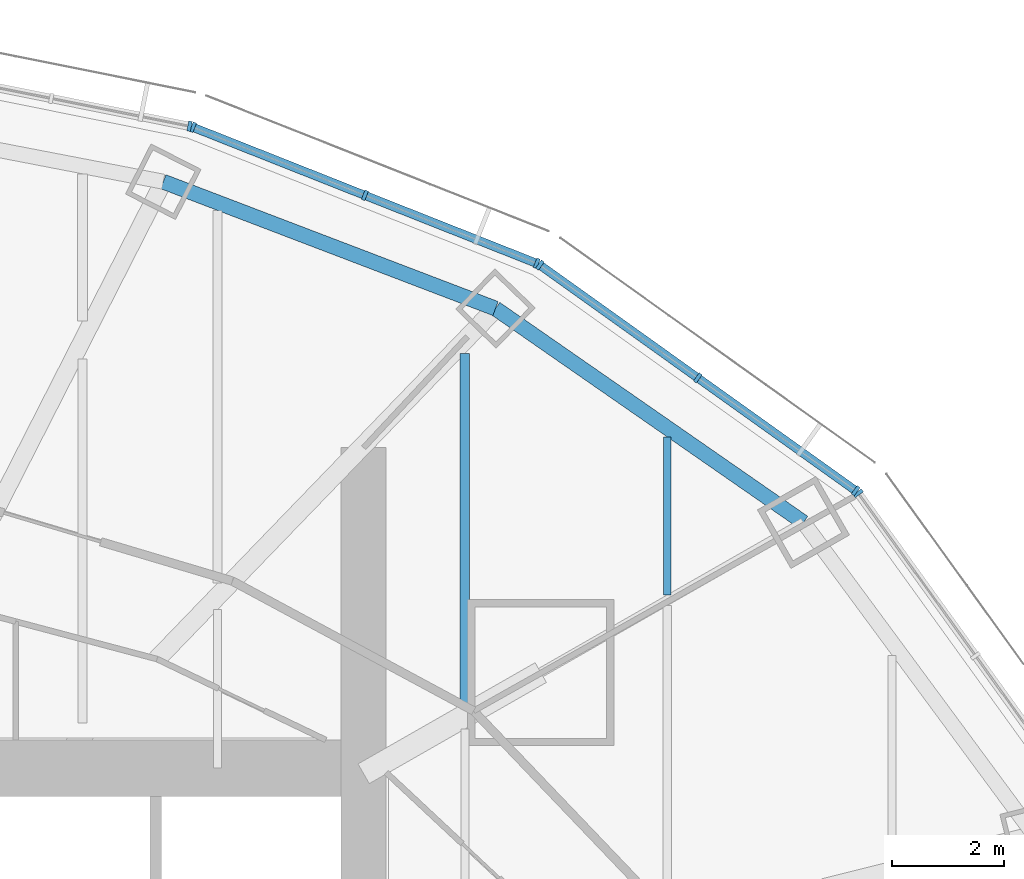
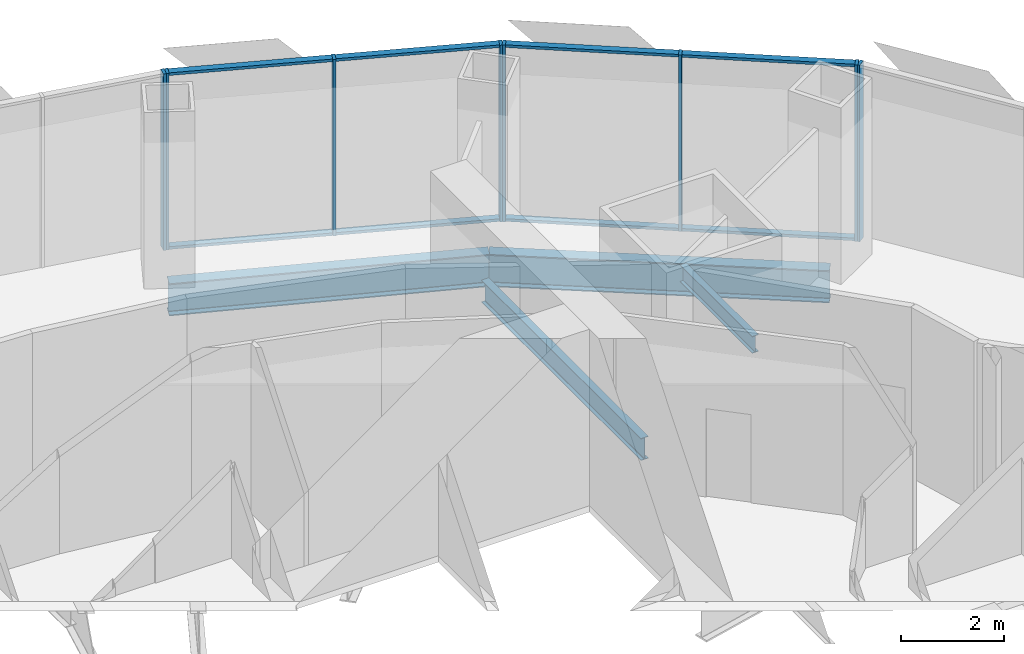
# One storey, part 9 of 17: 16 members, 4 beams, 4 elements without a shape of their own.
"""IFC4 building model written with IfcOpenShell, lengths in metres."""

from ifc_helpers import new_model, si_unit, direction, frame, origin, origin_2d, place, context, subcontext, project, spatial, rectangle, i_section, extrude, material, material_profile, profile_set, type_object, element, aggregate, save


model = new_model("IFC4")

# Units and contexts
model_context = context("Model", 3, precision=1e-05, world=origin(), true_north=direction((0.0, 1.0)))
body_context = subcontext(model_context, "Body", "Model", "MODEL_VIEW")
ifc_project = project(units=[si_unit("LENGTHUNIT", "METRE"), si_unit("AREAUNIT", "SQUARE_METRE"), si_unit("VOLUMEUNIT", "CUBIC_METRE"), si_unit("PLANEANGLEUNIT", "RADIAN"), si_unit("MASSUNIT", "GRAM", prefix="KILO")], contexts=[model_context])

# Site, building, storey
site_placement = place(None, origin())
site = spatial("IfcSite", under=ifc_project, at=site_placement, CompositionType="ELEMENT")
building_placement = place(site_placement, origin())
building = spatial("IfcBuilding", under=site, at=building_placement, Name="Lantaw Convention Tower", CompositionType="ELEMENT")
storey_placement = place(building_placement, frame((0.0, 0.0, 211.60009765625)))
storey = spatial("IfcBuildingStorey", under=building, at=storey_placement, Name="L49", CompositionType="ELEMENT", Elevation=211.60009765625)

# Beams
ifc_material_1 = material(Name="Steel ASTM A992", Category="steel")
ifc_material_profile_1 = material_profile(ifc_material_1, i_section(OverallWidth=0.2666015625, OverallDepth=0.76953125, WebThickness=0.015625, FlangeThickness=0.025390625, FilletRadius=0.0126953125, at=origin_2d()), Name="W30X132")
ifc_profile_set_1 = profile_set([ifc_material_profile_1], Name="Steel ASTM A992")
beam_type_1 = type_object("IfcBeamType", Name="Beam E W30X132", PredefinedType="SPANDREL", material=ifc_profile_set_1)
beam_1_placement = place(storey_placement, frame((20.423095703125, 11.67041015625, -0.534912109375), z_axis=(-0.82135329406, 0.570419815869, 0.0), x_axis=(-0.570419815869, -0.82135329406, 0.0)))
element("IfcBeam", 1, at=beam_1_placement, inside=storey, type_object=beam_type_1, Name="Edge beam 3", PredefinedType="SPANDREL", context=body_context, shape_type="SweptSolid", body=[
    extrude(i_section(OverallWidth=0.2666015625, OverallDepth=0.76953125, WebThickness=0.015625, FlangeThickness=0.025390625, FilletRadius=0.0126953125, at=origin_2d()), origin(), (0.0, 0.0, 1.0), 6.67041015625),
])
beam_2_placement = place(storey_placement, frame((14.9443359375, 15.475341796875, -0.534912109375), z_axis=(-0.934234988, 0.356658081637, 0.0), x_axis=(-0.356658081637, -0.934234988, 0.0)))
element("IfcBeam", 2, at=beam_2_placement, inside=storey, type_object=beam_type_1, Name="Edge beam 4", PredefinedType="SPANDREL", context=body_context, shape_type="SweptSolid", body=[
    extrude(i_section(OverallWidth=0.2666015625, OverallDepth=0.76953125, WebThickness=0.015625, FlangeThickness=0.025390625, FilletRadius=0.0126953125, at=origin_2d()), origin(), (0.0, 0.0, 1.0), 6.32568359375),
])
ifc_material_profile_2 = material_profile(ifc_material_1, i_section(OverallWidth=0.140380859375, OverallDepth=0.40380859375, WebThickness=0.007080078125, FlangeThickness=0.01123046875, FilletRadius=0.01025390625, at=origin_2d()), Name="W16X31")
ifc_profile_set_2 = profile_set([ifc_material_profile_2], Name="Steel ASTM A992")
beam_type_2 = type_object("IfcBeamType", Name="Beam J W16X31", PredefinedType="JOIST", material=ifc_profile_set_2)
beam_3_placement = place(storey_placement, frame((18.0, 10.380859375, -0.35205078125), z_axis=(0.0, 1.0, 0.0), x_axis=(-1.0, 0.0, 0.0)))
element("IfcBeam", 3, at=beam_3_placement, inside=storey, type_object=beam_type_2, Name="Floor joist", PredefinedType="JOIST", context=body_context, shape_type="SweptSolid", body=[
    extrude(i_section(OverallWidth=0.140380859375, OverallDepth=0.40380859375, WebThickness=0.007080078125, FlangeThickness=0.01123046875, FilletRadius=0.01025390625, at=origin_2d()), origin(), (0.0, 0.0, 1.0), 2.81005859375),
])
ifc_material_profile_3 = material_profile(ifc_material_1, i_section(OverallWidth=0.1650390625, OverallDepth=0.52587890625, WebThickness=0.0087890625, FlangeThickness=0.011474609375, FilletRadius=0.0126953125, at=origin_2d()), Name="W21X44")
ifc_profile_set_3 = profile_set([ifc_material_profile_3], Name="Steel ASTM A992")
beam_type_3 = type_object("IfcBeamType", Name="Beam J W21X44", PredefinedType="JOIST", material=ifc_profile_set_3)
beam_4_placement = place(storey_placement, frame((14.39990234375, 8.461181640625, -0.4130859375), z_axis=(0.0, 1.0, 0.0), x_axis=(-1.0, 0.0, 0.0)))
element("IfcBeam", 4, at=beam_4_placement, inside=storey, type_object=beam_type_3, Name="Floor joist", PredefinedType="JOIST", context=body_context, shape_type="SweptSolid", body=[
    extrude(i_section(OverallWidth=0.1650390625, OverallDepth=0.52587890625, WebThickness=0.0087890625, FlangeThickness=0.011474609375, FilletRadius=0.0126953125, at=origin_2d()), origin(), (0.0, 0.0, 1.0), 6.214599609375),
])

# Curtain wall, member
ifc_material_2 = material(Name="Aluminium framed curtain wall", Category="aluminium")
curtain_wall_type = type_object("IfcCurtainWallType", Name="Office curtain wall high rise, pale aluminium", PredefinedType="USERDEFINED", material=ifc_material_2)
curtain_wall_1_placement = place(storey_placement, origin())
curtain_wall_1 = element("IfcCurtainWall", 5, at=curtain_wall_1_placement, inside=storey, type_object=curtain_wall_type, Name="Office curtain wall high rise, pale aluminium L49", ObjectType="UNITISED CURTAIN WALL", PredefinedType="USERDEFINED")
ifc_material_3 = material(Name="Aluminium 6063-T6", Category="aluminium")
ifc_material_profile_4 = material_profile(ifc_material_3, rectangle(XDim=0.179931640625, YDim=0.06494140625, at=origin_2d()), Name="CW-O2 mullion 65x180")
ifc_profile_set_4 = profile_set([ifc_material_profile_4], Name="Aluminium 6063-T6")
member_type_1 = type_object("IfcMemberType", Name="CW-O2 mullion 65x180", PredefinedType="MULLION", material=ifc_profile_set_4)
member_1_placement = place(storey_placement, frame((21.397216796875, 12.189697265625, -0.150146484375), z_axis=(0.0, 0.0, 1.0), x_axis=(-0.810919559405, -0.585157643865, 0.0)))
member_1 = element("IfcMember", 6, at=member_1_placement, type_object=member_type_1, Name="CW-O2 mullion 3", PredefinedType="MULLION", context=body_context, shape_type="SweptSolid", body=[
    extrude(rectangle(XDim=0.179931640625, YDim=0.06494140625, at=origin_2d()), origin(), (0.0, 0.0, 1.0), 4.199951171875),
])
aggregate(curtain_wall_1, [member_1])

# Curtain wall, members
curtain_wall_2_placement = place(storey_placement, origin())
curtain_wall_2 = element("IfcCurtainWall", 7, at=curtain_wall_2_placement, inside=storey, type_object=curtain_wall_type, Name="Office curtain wall high rise, pale aluminium L49", ObjectType="UNITISED CURTAIN WALL", PredefinedType="USERDEFINED")
member_2_placement = place(storey_placement, frame((21.3515625, 12.23486328125, -0.150146484375), z_axis=(0.0, 0.0, 1.0), x_axis=(-0.581323487281, -0.813672540482, 0.0)))
member_2 = element("IfcMember", 8, at=member_2_placement, type_object=member_type_1, Name="CW-O2 mullion 1", PredefinedType="MULLION", context=body_context, shape_type="SweptSolid", body=[
    extrude(rectangle(XDim=0.179931640625, YDim=0.06494140625, at=origin_2d()), origin(), (0.0, 0.0, 1.0), 4.199951171875),
])
member_3_placement = place(storey_placement, frame((18.543212890625, 14.241455078125, -0.150146484375), z_axis=(0.0, 0.0, 1.0), x_axis=(-0.581323487281, -0.813672540482, 0.0)))
member_3 = element("IfcMember", 9, at=member_3_placement, type_object=member_type_1, Name="CW-O2 mullion 2", PredefinedType="MULLION", context=body_context, shape_type="SweptSolid", body=[
    extrude(rectangle(XDim=0.179931640625, YDim=0.06494140625, at=origin_2d()), origin(), (0.0, 0.0, 1.0), 4.199951171875),
])
member_4_placement = place(storey_placement, frame((15.73486328125, 16.247802734375, -0.150146484375), z_axis=(0.0, 0.0, 1.0), x_axis=(-0.581323487281, -0.813672540482, 0.0)))
member_4 = element("IfcMember", 10, at=member_4_placement, type_object=member_type_1, Name="CW-O2 mullion 3", PredefinedType="MULLION", context=body_context, shape_type="SweptSolid", body=[
    extrude(rectangle(XDim=0.179931640625, YDim=0.06494140625, at=origin_2d()), origin(), (0.0, 0.0, 1.0), 4.199951171875),
])

curtain_wall_3_placement = place(storey_placement, origin())
curtain_wall_3 = element("IfcCurtainWall", 11, at=curtain_wall_3_placement, inside=storey, type_object=curtain_wall_type, Name="Office curtain wall high rise, pale aluminium L49", ObjectType="UNITISED CURTAIN WALL", PredefinedType="USERDEFINED")
member_5_placement = place(storey_placement, frame((15.67822265625, 16.278564453125, -0.150146484375), z_axis=(0.0, 0.0, 1.0), x_axis=(-0.368162315252, -0.929761533743, 0.0)))
member_5 = element("IfcMember", 12, at=member_5_placement, type_object=member_type_1, Name="CW-O2 mullion 1", PredefinedType="MULLION", context=body_context, shape_type="SweptSolid", body=[
    extrude(rectangle(XDim=0.179931640625, YDim=0.06494140625, at=origin_2d()), origin(), (0.0, 0.0, 1.0), 4.199951171875),
])
member_6_placement = place(storey_placement, frame((12.621337890625, 17.4892578125, -0.150146484375), z_axis=(0.0, 0.0, 1.0), x_axis=(-0.368162315252, -0.929761533743, 0.0)))
member_6 = element("IfcMember", 13, at=member_6_placement, type_object=member_type_1, Name="CW-O2 mullion 2", PredefinedType="MULLION", context=body_context, shape_type="SweptSolid", body=[
    extrude(rectangle(XDim=0.179931640625, YDim=0.06494140625, at=origin_2d()), origin(), (0.0, 0.0, 1.0), 4.199951171875),
])
member_7_placement = place(storey_placement, frame((9.564208984375, 18.69970703125, -0.150146484375), z_axis=(0.0, 0.0, 1.0), x_axis=(-0.368162315252, -0.929761533743, 0.0)))
member_7 = element("IfcMember", 14, at=member_7_placement, type_object=member_type_1, Name="CW-O2 mullion 3", PredefinedType="MULLION", context=body_context, shape_type="SweptSolid", body=[
    extrude(rectangle(XDim=0.179931640625, YDim=0.06494140625, at=origin_2d()), origin(), (0.0, 0.0, 1.0), 4.199951171875),
])

# Curtain wall, member
curtain_wall_4_placement = place(storey_placement, origin())
curtain_wall_4 = element("IfcCurtainWall", 15, at=curtain_wall_4_placement, inside=storey, type_object=curtain_wall_type, Name="Office curtain wall high rise, pale aluminium L49", ObjectType="UNITISED CURTAIN WALL", PredefinedType="USERDEFINED")
member_8_placement = place(storey_placement, frame((9.502197265625, 18.718017578125, -0.150146484375), z_axis=(0.0, 0.0, 1.0), x_axis=(-0.197183095987, -0.980366679695, 0.0)))
member_8 = element("IfcMember", 16, at=member_8_placement, type_object=member_type_1, Name="CW-O2 mullion 1", PredefinedType="MULLION", context=body_context, shape_type="SweptSolid", body=[
    extrude(rectangle(XDim=0.179931640625, YDim=0.06494140625, at=origin_2d()), origin(), (0.0, 0.0, 1.0), 4.199951171875),
])
aggregate(curtain_wall_4, [member_8])

# Member
ifc_material_profile_5 = material_profile(ifc_material_3, rectangle(XDim=0.14990234375, YDim=0.06494140625, at=origin_2d()), Name="CW-O2 transom 65x150")
ifc_profile_set_5 = profile_set([ifc_material_profile_5], Name="Aluminium 6063-T6")
member_type_2 = type_object("IfcMemberType", Name="CW-O2 transom 65x150", PredefinedType="USERDEFINED", material=ifc_profile_set_5)
member_9_placement = place(storey_placement, frame((21.3251953125, 12.25390625, -0.11767578125), z_axis=(-0.813679882592, 0.581313210468, 0.0), x_axis=(-0.581313210468, -0.813679882592, 0.0)))
member_9 = element("IfcMember", 17, at=member_9_placement, type_object=member_type_2, Name="CW-O2 transom 1.1", ObjectType="TRANSOM", PredefinedType="USERDEFINED", context=body_context, shape_type="SweptSolid", body=[
    extrude(rectangle(XDim=0.14990234375, YDim=0.06494140625, at=origin_2d()), origin(), (0.0, 0.0, 1.0), 3.38623046875),
])

member_10_placement = place(storey_placement, frame((21.3251953125, 12.25390625, 4.017333984375), z_axis=(-0.813679882592, 0.581313210468, 0.0), x_axis=(-0.581313210468, -0.813679882592, 0.0)))
member_10 = element("IfcMember", 18, at=member_10_placement, type_object=member_type_2, Name="CW-O2 transom 1.2", ObjectType="TRANSOM", PredefinedType="USERDEFINED", context=body_context, shape_type="SweptSolid", body=[
    extrude(rectangle(XDim=0.14990234375, YDim=0.06494140625, at=origin_2d()), origin(), (0.0, 0.0, 1.0), 3.38623046875),
])

member_11_placement = place(storey_placement, frame((18.516845703125, 14.26025390625, -0.11767578125), z_axis=(-0.813645780821, 0.581360940683, 0.0), x_axis=(-0.581360940683, -0.813645780821, 0.0)))
member_11 = element("IfcMember", 19, at=member_11_placement, type_object=member_type_2, Name="CW-O2 transom 2.1", ObjectType="TRANSOM", PredefinedType="USERDEFINED", context=body_context, shape_type="SweptSolid", body=[
    extrude(rectangle(XDim=0.14990234375, YDim=0.06494140625, at=origin_2d()), origin(), (0.0, 0.0, 1.0), 3.386474609375),
])

member_12_placement = place(storey_placement, frame((18.516845703125, 14.26025390625, 4.017333984375), z_axis=(-0.813645780821, 0.581360940683, 0.0), x_axis=(-0.581360940683, -0.813645780821, 0.0)))
member_12 = element("IfcMember", 20, at=member_12_placement, type_object=member_type_2, Name="CW-O2 transom 2.2", ObjectType="TRANSOM", PredefinedType="USERDEFINED", context=body_context, shape_type="SweptSolid", body=[
    extrude(rectangle(XDim=0.14990234375, YDim=0.06494140625, at=origin_2d()), origin(), (0.0, 0.0, 1.0), 3.386474609375),
])

aggregate(curtain_wall_2, [member_2, member_3, member_4, member_9, member_10, member_11, member_12])

member_13_placement = place(storey_placement, frame((15.648193359375, 16.29052734375, -0.11767578125), z_axis=(-0.929740712354, 0.368214893495, 0.0), x_axis=(-0.368214893495, -0.929740712354, 0.0)))
member_13 = element("IfcMember", 21, at=member_13_placement, type_object=member_type_2, Name="CW-O2 transom 1.1", ObjectType="TRANSOM", PredefinedType="USERDEFINED", context=body_context, shape_type="SweptSolid", body=[
    extrude(rectangle(XDim=0.14990234375, YDim=0.06494140625, at=origin_2d()), origin(), (0.0, 0.0, 1.0), 3.22314453125),
])

member_14_placement = place(storey_placement, frame((15.648193359375, 16.29052734375, 4.017333984375), z_axis=(-0.929740712354, 0.368214893495, 0.0), x_axis=(-0.368214893495, -0.929740712354, 0.0)))
member_14 = element("IfcMember", 22, at=member_14_placement, type_object=member_type_2, Name="CW-O2 transom 1.2", ObjectType="TRANSOM", PredefinedType="USERDEFINED", context=body_context, shape_type="SweptSolid", body=[
    extrude(rectangle(XDim=0.14990234375, YDim=0.06494140625, at=origin_2d()), origin(), (0.0, 0.0, 1.0), 3.22314453125),
])

member_15_placement = place(storey_placement, frame((12.591064453125, 17.501220703125, -0.11767578125), z_axis=(-0.929766642946, 0.368149412149, 0.0), x_axis=(-0.368149412149, -0.929766642946, 0.0)))
member_15 = element("IfcMember", 23, at=member_15_placement, type_object=member_type_2, Name="CW-O2 transom 2.1", ObjectType="TRANSOM", PredefinedType="USERDEFINED", context=body_context, shape_type="SweptSolid", body=[
    extrude(rectangle(XDim=0.14990234375, YDim=0.06494140625, at=origin_2d()), origin(), (0.0, 0.0, 1.0), 3.222900390625),
])

member_16_placement = place(storey_placement, frame((12.591064453125, 17.501220703125, 4.017333984375), z_axis=(-0.929766642946, 0.368149412149, 0.0), x_axis=(-0.368149412149, -0.929766642946, 0.0)))
member_16 = element("IfcMember", 24, at=member_16_placement, type_object=member_type_2, Name="CW-O2 transom 2.2", ObjectType="TRANSOM", PredefinedType="USERDEFINED", context=body_context, shape_type="SweptSolid", body=[
    extrude(rectangle(XDim=0.14990234375, YDim=0.06494140625, at=origin_2d()), origin(), (0.0, 0.0, 1.0), 3.222900390625),
])

aggregate(curtain_wall_3, [member_5, member_6, member_7, member_13, member_14, member_15, member_16])

save(model, "model.ifc")
